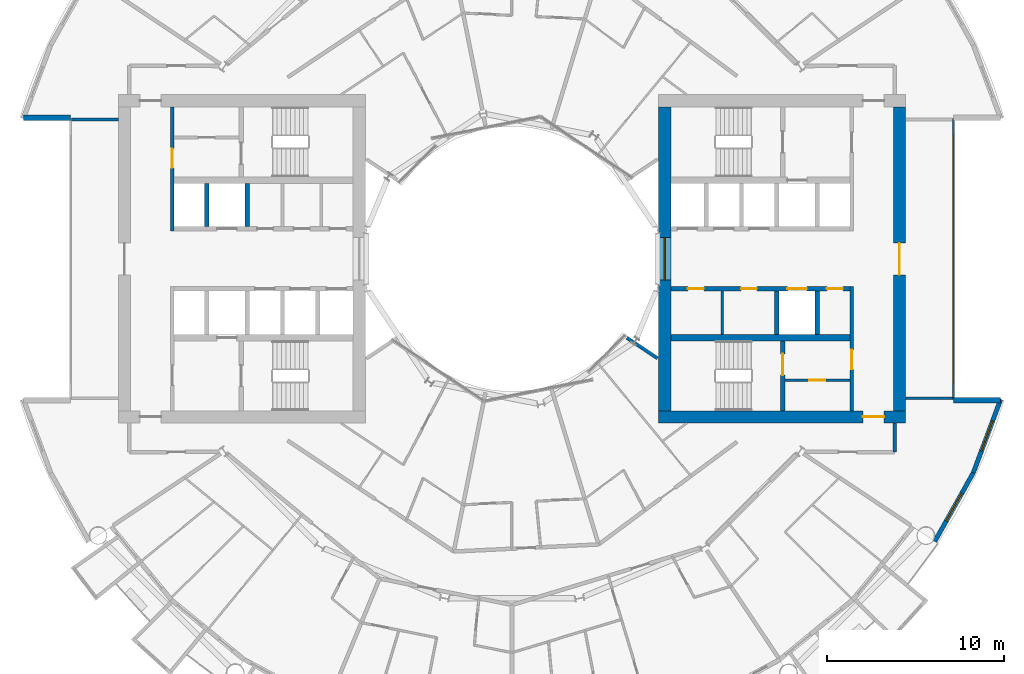
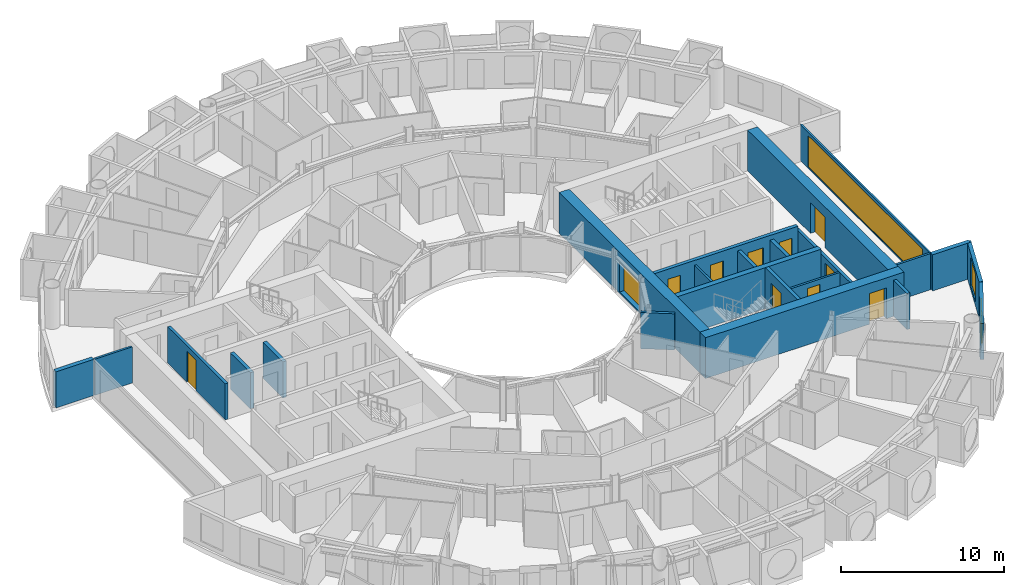
# One storey, part 17 of 26: 23 walls, 10 doors, 4 windows, 14 openings.
"""IFC4 building model written with IfcOpenShell, lengths in metres."""

from ifc_helpers import new_model, si_unit, direction, frame, frame_2d, origin, place, context, subcontext, project, spatial, rectangle, extrude, material, layer, layer_set, type_object, element, fill, save


model = new_model("IFC4")

# Units and contexts
model_context = context("Model", 3, precision=1e-05, world=origin(), true_north=direction((0.0, 1.0)))
body_context = subcontext(model_context, "Body", "Model", "MODEL_VIEW")
ifc_project = project(units=[si_unit("LENGTHUNIT", "METRE"), si_unit("AREAUNIT", "SQUARE_METRE"), si_unit("VOLUMEUNIT", "CUBIC_METRE"), si_unit("PLANEANGLEUNIT", "RADIAN"), si_unit("MASSUNIT", "GRAM", prefix="KILO")], contexts=[model_context])

# Site, building, storey
site_placement = place(None, origin())
site = spatial("IfcSite", under=ifc_project, at=site_placement, CompositionType="ELEMENT")
building_placement = place(site_placement, origin())
building = spatial("IfcBuilding", under=site, at=building_placement, Name="Maasbend Ring Residences", CompositionType="ELEMENT")
storey_placement = place(building_placement, frame((0.0, 0.0, 91.050048828125)))
storey = spatial("IfcBuildingStorey", under=building, at=storey_placement, Name="L26", CompositionType="ELEMENT", Elevation=91.050048828125)

# Wall, openings, doors
ifc_material_1 = material(Name="Concrete C70/85", Category="concrete")
ifc_layer_1 = layer(ifc_material_1, 0.25)
ifc_layer_set_1 = layer_set([ifc_layer_1], Name="Concrete C70/85")
wall_type_1 = type_object("IfcWallType", Name="CORE WALL 250 C70/85", PredefinedType="SHEAR", material=ifc_layer_set_1)
wall_1_placement = place(storey_placement, frame((19.14990234375, -1.699951171875, 0.0), z_axis=(0.0, 0.0, 1.0), x_axis=(-1.0, 0.0, 0.0)))
wall_1 = element("IfcWall", 1, at=wall_1_placement, inside=storey, type_object=wall_type_1, Name="L26 core E wall SPS", PredefinedType="SHEAR", context=body_context, shape_type="SweptSolid", body=[
    extrude(rectangle(XDim=10.14990234375, YDim=0.25, at=frame_2d((5.074951171875, 0.0))), origin(), (0.0, 0.0, 1.0), 3.050048828125),
])
opening_1_placement = place(wall_1_placement, frame((2.449951171875, 0.0, 0.0)))
opening_1 = element("IfcOpeningElement", 2, at=opening_1_placement, cuts=wall_1, Name="Opening LD-E2605", PredefinedType="OPENING", context=body_context, shape_type="SweptSolid", body=[
    extrude(rectangle(XDim=1.10009765625, YDim=2.300048828125, at=frame_2d((0.550048828125, 1.14990234375))), frame((0.0, 0.135009765625, 0.0), z_axis=(0.0, -1.0, 0.0), x_axis=(1.0, 0.0, 0.0)), (0.0, 0.0, 1.0), 0.27001953125),
])
opening_2_placement = place(wall_1_placement, frame((8.28759765625, 0.0, 0.0)))
opening_2 = element("IfcOpeningElement", 3, at=opening_2_placement, cuts=wall_1, Name="Opening D-E2606", PredefinedType="OPENING", context=body_context, shape_type="SweptSolid", body=[
    extrude(rectangle(XDim=0.89990234375, YDim=2.300048828125, at=frame_2d((0.449951171875, 1.14990234375))), frame((0.0, 0.135009765625, 0.0), z_axis=(0.0, -1.0, 0.0), x_axis=(1.0, 0.0, 0.0)), (0.0, 0.0, 1.0), 0.27001953125),
])
opening_3_placement = place(wall_1_placement, frame((5.27490234375, 0.0, 0.0)))
opening_3 = element("IfcOpeningElement", 4, at=opening_3_placement, cuts=wall_1, Name="Opening D-E2607", PredefinedType="OPENING", context=body_context, shape_type="SweptSolid", body=[
    extrude(rectangle(XDim=0.89990234375, YDim=2.300048828125, at=frame_2d((0.449951171875, 1.14990234375))), frame((0.0, 0.135009765625, 0.0), z_axis=(0.0, -1.0, 0.0), x_axis=(1.0, 0.0, 0.0)), (0.0, 0.0, 1.0), 0.27001953125),
])
opening_4_placement = place(wall_1_placement, frame((0.41259765625, 0.0, 0.0)))
opening_4 = element("IfcOpeningElement", 5, at=opening_4_placement, cuts=wall_1, Name="Opening D-E2608", PredefinedType="OPENING", context=body_context, shape_type="SweptSolid", body=[
    extrude(rectangle(XDim=0.89990234375, YDim=2.300048828125, at=frame_2d((0.449951171875, 1.14990234375))), frame((0.0, 0.135009765625, 0.0), z_axis=(0.0, -1.0, 0.0), x_axis=(1.0, 0.0, 0.0)), (0.0, 0.0, 1.0), 0.27001953125),
])
ifc_material_2 = material(Name="Stainless steel 316", Category="steel")
door_type_1 = type_object("IfcDoorType", Name="LANDING DOOR 1100 X 2300 FD60", OperationType="DOUBLE_DOOR_SLIDING", PredefinedType="DOOR", material=ifc_material_2)
door_1_placement = place(opening_1_placement, origin())
door_1 = element("IfcDoor", 6, at=door_1_placement, inside=storey, type_object=door_type_1, Name="Landing door SV-E L26", OperationType="DOUBLE_DOOR_SLIDING", OverallHeight=2.300048828125, OverallWidth=1.10009765625, PredefinedType="DOOR", context=body_context, shape_type="SweptSolid", body=[
    extrude(rectangle(XDim=1.10009765625, YDim=2.300048828125, at=frame_2d((0.550048828125, 1.14990234375))), frame((0.0, 0.02490234375, 0.0), z_axis=(0.0, -1.0, 0.0), x_axis=(1.0, 0.0, 0.0)), (0.0, 0.0, 1.0), 0.050048828125),
])
fill(opening_1, door_1)
ifc_material_3 = material(Name="Steel, powder coated", Category="steel")
door_type_2 = type_object("IfcDoorType", Name="ROOM DOOR 900 X 2300 FD30S", OperationType="NOTDEFINED", PredefinedType="DOOR", material=ifc_material_3)
door_2_placement = place(opening_2_placement, origin())
door_2 = element("IfcDoor", 7, at=door_2_placement, inside=storey, type_object=door_type_2, Name="Room door L26", OperationType="SINGLE_SWING_LEFT", OverallHeight=2.300048828125, OverallWidth=0.89990234375, PredefinedType="DOOR", context=body_context, shape_type="SweptSolid", body=[
    extrude(rectangle(XDim=0.89990234375, YDim=2.300048828125, at=frame_2d((0.449951171875, 1.14990234375))), frame((0.0, 0.02490234375, 0.0), z_axis=(0.0, -1.0, 0.0), x_axis=(1.0, 0.0, 0.0)), (0.0, 0.0, 1.0), 0.050048828125),
])
fill(opening_2, door_2)
door_3_placement = place(opening_3_placement, origin())
door_3 = element("IfcDoor", 8, at=door_3_placement, inside=storey, type_object=door_type_2, Name="Room door L26", OperationType="SINGLE_SWING_LEFT", OverallHeight=2.300048828125, OverallWidth=0.89990234375, PredefinedType="DOOR", context=body_context, shape_type="SweptSolid", body=[
    extrude(rectangle(XDim=0.89990234375, YDim=2.300048828125, at=frame_2d((0.449951171875, 1.14990234375))), frame((0.0, 0.02490234375, 0.0), z_axis=(0.0, -1.0, 0.0), x_axis=(1.0, 0.0, 0.0)), (0.0, 0.0, 1.0), 0.050048828125),
])
fill(opening_3, door_3)
door_4_placement = place(opening_4_placement, origin())
door_4 = element("IfcDoor", 9, at=door_4_placement, inside=storey, type_object=door_type_2, Name="Room door L26", OperationType="SINGLE_SWING_RIGHT", OverallHeight=2.300048828125, OverallWidth=0.89990234375, PredefinedType="DOOR", context=body_context, shape_type="SweptSolid", body=[
    extrude(rectangle(XDim=0.89990234375, YDim=2.300048828125, at=frame_2d((0.449951171875, 1.14990234375))), frame((0.0, 0.02490234375, 0.0), z_axis=(0.0, -1.0, 0.0), x_axis=(1.0, 0.0, 0.0)), (0.0, 0.0, 1.0), 0.050048828125),
])
fill(opening_4, door_4)

# Wall, opening, door
wall_2_placement = place(storey_placement, frame((15.324951171875, -8.60009765625, 0.0), z_axis=(0.0, 0.0, 1.0), x_axis=(0.0, 1.0, 0.0)))
wall_2 = element("IfcWall", 10, at=wall_2_placement, inside=storey, type_object=wall_type_1, Name="L26 core E wall STES", PredefinedType="SHEAR", context=body_context, shape_type="SweptSolid", body=[
    extrude(rectangle(XDim=3.9501953125, YDim=0.25, at=frame_2d((1.97509765625, 0.0))), origin(), (0.0, 0.0, 1.0), 3.050048828125),
])
opening_5_placement = place(wall_2_placement, frame((2.02490234375, 0.0, 0.0)))
opening_5 = element("IfcOpeningElement", 11, at=opening_5_placement, cuts=wall_2, Name="Opening D-E2611", PredefinedType="OPENING", context=body_context, shape_type="SweptSolid", body=[
    extrude(rectangle(XDim=1.199951171875, YDim=2.300048828125, at=frame_2d((0.60009765625, 1.14990234375))), frame((0.0, 0.135009765625, 0.0), z_axis=(0.0, -1.0, 0.0), x_axis=(1.0, 0.0, 0.0)), (0.0, 0.0, 1.0), 0.27001953125),
])
ifc_material_4 = material(Name="Steel, powder coated", Category="steel")
door_type_3 = type_object("IfcDoorType", Name="STAIR DOOR 1200 X 2300 FD60", OperationType="NOTDEFINED", PredefinedType="DOOR", material=ifc_material_4)
door_5_placement = place(opening_5_placement, origin())
door_5 = element("IfcDoor", 12, at=door_5_placement, inside=storey, type_object=door_type_3, Name="Stair door ST-E L26", OperationType="SINGLE_SWING_LEFT", OverallHeight=2.300048828125, OverallWidth=1.199951171875, PredefinedType="DOOR", context=body_context, shape_type="SweptSolid", body=[
    extrude(rectangle(XDim=1.199951171875, YDim=2.300048828125, at=frame_2d((0.60009765625, 1.14990234375))), frame((0.0, 0.02490234375, 0.0), z_axis=(0.0, -1.0, 0.0), x_axis=(1.0, 0.0, 0.0)), (0.0, 0.0, 1.0), 0.050048828125),
])
fill(opening_5, door_5)

# Wall
ifc_material_5 = material(Name="Concrete C70/85", Category="concrete")
ifc_layer_2 = layer(ifc_material_5, 0.375)
ifc_layer_set_2 = layer_set([ifc_layer_2], Name="Concrete C70/85")
wall_type_2 = type_object("IfcWallType", Name="CORE WALL 375 C70/85", PredefinedType="SHEAR", material=ifc_layer_set_2)
wall_3_placement = place(storey_placement, frame((9.0, -4.46240234375, 0.0), z_axis=(0.0, 0.0, 1.0), x_axis=(1.0, 0.0, 0.0)))
element("IfcWall", 13, at=wall_3_placement, inside=storey, type_object=wall_type_2, Name="L26 core E wall BS", PredefinedType="SHEAR", context=body_context, shape_type="SweptSolid", body=[
    extrude(rectangle(XDim=10.14990234375, YDim=0.375, at=frame_2d((5.074951171875, 0.0))), origin(), (0.0, 0.0, 1.0), 3.050048828125),
])

# Wall, opening, door
ifc_material_6 = material(Name="Concrete C70/85", Category="concrete")
ifc_layer_3 = layer(ifc_material_6, 0.699951171875)
ifc_layer_set_3 = layer_set([ifc_layer_3], Name="Concrete C70/85")
wall_type_3 = type_object("IfcWallType", Name="CORE WALL 700 C70/85", PredefinedType="SHEAR", material=ifc_layer_set_3)
wall_4_placement = place(storey_placement, frame((8.300048828125, -8.949951171875, 0.0), z_axis=(0.0, 0.0, 1.0), x_axis=(1.0, 0.0, 0.0)))
wall_4 = element("IfcWall", 14, at=wall_4_placement, inside=storey, type_object=wall_type_3, Name="L26 core E wall PS", PredefinedType="SHEAR", context=body_context, shape_type="SweptSolid", body=[
    extrude(rectangle(XDim=14.0, YDim=0.699951171875, at=frame_2d((7.0, 0.0))), origin(), (0.0, 0.0, 1.0), 3.050048828125),
])
opening_6_placement = place(wall_4_placement, frame((11.574951171875, 0.0, 0.0)))
opening_6 = element("IfcOpeningElement", 15, at=opening_6_placement, cuts=wall_4, Name="Opening D-E2615", PredefinedType="OPENING", context=body_context, shape_type="SweptSolid", body=[
    extrude(rectangle(XDim=1.199951171875, YDim=2.300048828125, at=frame_2d((0.60009765625, 1.14990234375))), frame((0.0, 0.35986328125, 0.0), z_axis=(0.0, -1.0, 0.0), x_axis=(1.0, 0.0, 0.0)), (0.0, 0.0, 1.0), 0.719970703125),
])
ifc_material_7 = material(Name="Steel, powder coated", Category="steel")
door_type_4 = type_object("IfcDoorType", Name="CORRIDOR DOOR 1200 X 2300 FD30S", OperationType="NOTDEFINED", PredefinedType="DOOR", material=ifc_material_7)
door_6_placement = place(opening_6_placement, origin())
door_6 = element("IfcDoor", 16, at=door_6_placement, inside=storey, type_object=door_type_4, Name="Corridor door L26", OperationType="SINGLE_SWING_LEFT", OverallHeight=2.300048828125, OverallWidth=1.199951171875, PredefinedType="DOOR", context=body_context, shape_type="SweptSolid", body=[
    extrude(rectangle(XDim=1.199951171875, YDim=2.300048828125, at=frame_2d((0.60009765625, 1.14990234375))), frame((0.0, 0.02490234375, 0.0), z_axis=(0.0, -1.0, 0.0), x_axis=(1.0, 0.0, 0.0)), (0.0, 0.0, 1.0), 0.050048828125),
])
fill(opening_6, door_6)

wall_5_placement = place(storey_placement, frame((21.949951171875, 8.60009765625, 0.0), z_axis=(0.0, 0.0, 1.0), x_axis=(0.0, -1.0, 0.0)))
wall_5 = element("IfcWall", 17, at=wall_5_placement, inside=storey, type_object=wall_type_3, Name="L26 core E wall POUT", PredefinedType="SHEAR", context=body_context, shape_type="SweptSolid", body=[
    extrude(rectangle(XDim=17.2001953125, YDim=0.699951171875, at=frame_2d((8.60009765625, 0.0))), origin(), (0.0, 0.0, 1.0), 3.050048828125),
])
opening_7_placement = place(wall_5_placement, frame((7.699951171875, 0.0, 0.0)))
opening_7 = element("IfcOpeningElement", 18, at=opening_7_placement, cuts=wall_5, Name="Opening D-E2616", PredefinedType="OPENING", context=body_context, shape_type="SweptSolid", body=[
    extrude(rectangle(XDim=1.800048828125, YDim=2.300048828125, at=frame_2d((0.89990234375, 1.14990234375))), frame((0.0, 0.35986328125, 0.0), z_axis=(0.0, -1.0, 0.0), x_axis=(1.0, 0.0, 0.0)), (0.0, 0.0, 1.0), 0.719970703125),
])
ifc_material_8 = material(Name="Aluminium frame, clear glass", Category="aluminium")
door_type_5 = type_object("IfcDoorType", Name="ENTRANCE DOOR 1800 X 2300 FD60", OperationType="NOTDEFINED", PredefinedType="DOOR", material=ifc_material_8)
door_7_placement = place(opening_7_placement, origin())
door_7 = element("IfcDoor", 19, at=door_7_placement, inside=storey, type_object=door_type_5, Name="Lobby glazed door L26", OperationType="SINGLE_SWING_LEFT", OverallHeight=2.300048828125, OverallWidth=1.800048828125, PredefinedType="DOOR", context=body_context, shape_type="SweptSolid", body=[
    extrude(rectangle(XDim=1.800048828125, YDim=2.300048828125, at=frame_2d((0.89990234375, 1.14990234375))), frame((0.0, 0.02490234375, 0.0), z_axis=(0.0, -1.0, 0.0), x_axis=(1.0, 0.0, 0.0)), (0.0, 0.0, 1.0), 0.050048828125),
])
fill(opening_7, door_7)

# Wall, opening, window
wall_6_placement = place(storey_placement, frame((8.64990234375, -8.60009765625, 0.0), z_axis=(0.0, 0.0, 1.0), x_axis=(0.0, 1.0, 0.0)))
wall_6 = element("IfcWall", 20, at=wall_6_placement, inside=storey, type_object=wall_type_3, Name="L26 core E wall PIN", PredefinedType="SHEAR", context=body_context, shape_type="SweptSolid", body=[
    extrude(rectangle(XDim=17.2001953125, YDim=0.699951171875, at=frame_2d((8.60009765625, 0.0))), origin(), (0.0, 0.0, 1.0), 3.050048828125),
])
opening_8_placement = place(wall_6_placement, frame((7.39990234375, 0.0, 0.10009765625)))
opening_8 = element("IfcOpeningElement", 21, at=opening_8_placement, cuts=wall_6, Name="Opening W-E2601", PredefinedType="OPENING", context=body_context, shape_type="SweptSolid", body=[
    extrude(rectangle(XDim=2.39990234375, YDim=2.199951171875, at=frame_2d((1.199951171875, 1.10009765625))), frame((0.0, 0.35986328125, 0.0), z_axis=(0.0, -1.0, 0.0), x_axis=(1.0, 0.0, 0.0)), (0.0, 0.0, 1.0), 0.719970703125),
])
ifc_material_9 = material(Name="Aluminium frame and clear glass", Category="aluminium")
window_type_1 = type_object("IfcWindowType", Name="FIXED WINDOW 2400 X 2200", PartitioningType="SINGLE_PANEL", PredefinedType="WINDOW", material=ifc_material_9)
window_1_placement = place(opening_8_placement, origin())
window_1 = element("IfcWindow", 22, at=window_1_placement, inside=storey, type_object=window_type_1, Name="Lobby window L26", OverallHeight=2.199951171875, OverallWidth=2.39990234375, PartitioningType="SINGLE_PANEL", PredefinedType="WINDOW", context=body_context, shape_type="SweptSolid", body=[
    extrude(rectangle(XDim=2.39990234375, YDim=2.199951171875, at=frame_2d((1.199951171875, 1.10009765625))), frame((0.0, 0.030029296875, 0.0), z_axis=(0.0, -1.0, 0.0), x_axis=(1.0, 0.0, 0.0)), (0.0, 0.0, 1.0), 0.06005859375),
])
fill(opening_8, window_1)

# Wall
ifc_material_10 = material(Name="Concrete C30/37", Category="concrete")
ifc_layer_4 = layer(ifc_material_10, 0.199951171875)
ifc_layer_set_4 = layer_set([ifc_layer_4], Name="Concrete C30/37")
wall_type_4 = type_object("IfcWallType", Name="CORRIDOR WALL 200 CONCRETE", PredefinedType="PARTITIONING", material=ifc_layer_set_4)
wall_7_placement = place(storey_placement, frame((21.675048828125, -10.949951171875, 0.0), z_axis=(0.0, 0.0, 1.0), x_axis=(0.0, 1.0, 0.0)))
element("IfcWall", 23, at=wall_7_placement, inside=storey, type_object=wall_type_4, Name="U-L26-w005", PredefinedType="PARTITIONING", context=body_context, shape_type="SweptSolid", body=[
    extrude(rectangle(XDim=1.64990234375, YDim=0.199951171875, at=frame_2d((0.824951171875, 0.0))), origin(), (0.0, 0.0, 1.0), 2.699951171875),
])

# Wall, opening, window
ifc_material_11 = material(Name="Aluminium clad insulated panel", Category="aluminium")
ifc_layer_5 = layer(ifc_material_11, 0.25)
ifc_layer_set_5 = layer_set([ifc_layer_5], Name="EW-HORN")
wall_type_5 = type_object("IfcWallType", Name="EW-HORN", PredefinedType="SOLIDWALL", material=ifc_layer_set_5)
wall_8_placement = place(storey_placement, frame((23.946044921875, -16.0, 0.0), z_axis=(0.0, 0.0, 1.0), x_axis=(0.489696356642, 0.871893042919, 0.0)))
wall_8 = element("IfcWall", 24, at=wall_8_placement, inside=storey, type_object=wall_type_5, Name="Horn wall 2.1", PredefinedType="SOLIDWALL", context=body_context, shape_type="SweptSolid", body=[
    extrude(rectangle(XDim=4.45361328125, YDim=0.25, at=frame_2d((2.226806640625, 0.0))), origin(), (0.0, 0.0, 1.0), 2.699951171875),
])
opening_9_placement = place(wall_8_placement, frame((1.32666015625, 0.0, 0.300048828125)))
opening_9 = element("IfcOpeningElement", 25, at=opening_9_placement, cuts=wall_8, Name="Opening W-BX", PredefinedType="OPENING", context=body_context, shape_type="SweptSolid", body=[
    extrude(rectangle(XDim=1.800048828125, YDim=2.10009765625, at=frame_2d((0.89990234375, 1.050048828125))), frame((0.0, 0.135009765625, 0.0), z_axis=(0.0, -1.0, 0.0), x_axis=(1.0, 0.0, 0.0)), (0.0, 0.0, 1.0), 0.27001953125),
])
ifc_material_12 = material(Name="Aluminium and clear glass", Category="aluminium")
window_type_2 = type_object("IfcWindowType", Name="W-BX", PartitioningType="DOUBLE_PANEL_VERTICAL", PredefinedType="WINDOW", material=ifc_material_12)
window_2_placement = place(opening_9_placement, origin())
window_2 = element("IfcWindow", 26, at=window_2_placement, inside=storey, type_object=window_type_2, Name="Horn window 2.1", OverallHeight=2.10009765625, OverallWidth=1.800048828125, PartitioningType="SINGLE_PANEL", PredefinedType="WINDOW", context=body_context, shape_type="SweptSolid", body=[
    extrude(rectangle(XDim=1.800048828125, YDim=2.10009765625, at=frame_2d((0.89990234375, 1.050048828125))), frame((0.0, 0.030029296875, 0.0), z_axis=(0.0, -1.0, 0.0), x_axis=(1.0, 0.0, 0.0)), (0.0, 0.0, 1.0), 0.06005859375),
])
fill(opening_9, window_2)

wall_9_placement = place(storey_placement, frame((26.126953125, -12.116943359375, 0.0), z_axis=(0.0, 0.0, 1.0), x_axis=(0.349247811493, 0.937030397675, 0.0)))
wall_9 = element("IfcWall", 27, at=wall_9_placement, inside=storey, type_object=wall_type_5, Name="Horn wall 2.2", PredefinedType="SOLIDWALL", context=body_context, shape_type="SweptSolid", body=[
    extrude(rectangle(XDim=4.4521484375, YDim=0.25, at=frame_2d((2.22607421875, 0.0))), origin(), (0.0, 0.0, 1.0), 2.699951171875),
])
opening_10_placement = place(wall_9_placement, frame((1.32666015625, 0.0, 0.300048828125)))
opening_10 = element("IfcOpeningElement", 28, at=opening_10_placement, cuts=wall_9, Name="Opening W-BX", PredefinedType="OPENING", context=body_context, shape_type="SweptSolid", body=[
    extrude(rectangle(XDim=1.800048828125, YDim=2.10009765625, at=frame_2d((0.89990234375, 1.050048828125))), frame((0.0, 0.135009765625, 0.0), z_axis=(0.0, -1.0, 0.0), x_axis=(1.0, 0.0, 0.0)), (0.0, 0.0, 1.0), 0.27001953125),
])
window_3_placement = place(opening_10_placement, origin())
window_3 = element("IfcWindow", 29, at=window_3_placement, inside=storey, type_object=window_type_2, Name="Horn window 2.2", OverallHeight=2.10009765625, OverallWidth=1.800048828125, PartitioningType="SINGLE_PANEL", PredefinedType="WINDOW", context=body_context, shape_type="SweptSolid", body=[
    extrude(rectangle(XDim=1.800048828125, YDim=2.10009765625, at=frame_2d((0.89990234375, 1.050048828125))), frame((0.0, 0.030029296875, 0.0), z_axis=(0.0, -1.0, 0.0), x_axis=(1.0, 0.0, 0.0)), (0.0, 0.0, 1.0), 0.06005859375),
])
fill(opening_10, window_3)

# Walls
ifc_material_13 = material(Name="Aluminium clad insulated panel", Category="aluminium")
ifc_layer_6 = layer(ifc_material_13, 0.300048828125)
ifc_layer_set_6 = layer_set([ifc_layer_6], Name="EW-RET")
wall_type_6 = type_object("IfcWallType", Name="EW-RET", PredefinedType="SOLIDWALL", material=ifc_layer_set_6)
for number, where, z_axis, x_axis, name in (
    (30, (25.0, -8.0, 0.0), (0.0, 0.0, 1.0), (1.0, 0.0, 0.0), "Notch return wall east south"),
    (31, (-25.0, 8.0, 0.0), (0.0, 0.0, 1.0), (-1.0, 0.0, 0.0), "Notch return wall west north"),
):
    element("IfcWall", number, at=place(storey_placement, frame(where, z_axis=z_axis, x_axis=x_axis)), inside=storey, type_object=wall_type_6, Name=name, PredefinedType="SOLIDWALL", context=body_context, shape_type="SweptSolid", body=[
        extrude(rectangle(XDim=2.6669921875, YDim=0.300048828125, at=frame_2d((1.33349609375, 0.0))), origin(), (0.0, 0.0, 1.0), 2.699951171875),
    ])

# Wall, opening, window
ifc_material_14 = material(Name="Aluminium frame and clear glass", Category="aluminium")
ifc_layer_7 = layer(ifc_material_14, 0.1201171875)
ifc_layer_set_7 = layer_set([ifc_layer_7], Name="GLAZED SCREEN WALL 120 EI 60")
wall_type_7 = type_object("IfcWallType", Name="GLAZED SCREEN WALL 120 EI 60", PredefinedType="PARTITIONING", material=ifc_layer_set_7)
wall_10_placement = place(storey_placement, frame((25.0, -7.949951171875, 0.0), z_axis=(0.0, 0.0, 1.0), x_axis=(0.0, 1.0, 0.0)))
wall_10 = element("IfcWall", 32, at=wall_10_placement, inside=storey, type_object=wall_type_7, Name="L26 core E wall FACE", PredefinedType="PARTITIONING", context=body_context, shape_type="SweptSolid", body=[
    extrude(rectangle(XDim=15.89990234375, YDim=0.1201171875, at=frame_2d((7.949951171875, 0.0))), origin(), (0.0, 0.0, 1.0), 2.699951171875),
])
opening_11_placement = place(wall_10_placement, frame((0.949951171875, 0.0, 0.10009765625)))
opening_11 = element("IfcOpeningElement", 33, at=opening_11_placement, cuts=wall_10, Name="Opening W-E2602", PredefinedType="OPENING", context=body_context, shape_type="SweptSolid", body=[
    extrude(rectangle(XDim=14.0, YDim=2.35009765625, at=frame_2d((7.0, 1.175048828125))), frame((0.0, 0.070068359375, 0.0), z_axis=(0.0, -1.0, 0.0), x_axis=(1.0, 0.0, 0.0)), (0.0, 0.0, 1.0), 0.14013671875),
])
ifc_material_15 = material(Name="Aluminium frame and clear glass", Category="aluminium")
window_type_3 = type_object("IfcWindowType", Name="FIXED WINDOW 14000 X 2350", PartitioningType="SINGLE_PANEL", PredefinedType="WINDOW", material=ifc_material_15)
window_4_placement = place(opening_11_placement, origin())
window_4 = element("IfcWindow", 34, at=window_4_placement, inside=storey, type_object=window_type_3, Name="Lobby window L26", OverallHeight=2.35009765625, OverallWidth=14.0, PartitioningType="SINGLE_PANEL", PredefinedType="WINDOW", context=body_context, shape_type="SweptSolid", body=[
    extrude(rectangle(XDim=14.0, YDim=2.35009765625, at=frame_2d((7.0, 1.175048828125))), frame((0.0, 0.030029296875, 0.0), z_axis=(0.0, -1.0, 0.0), x_axis=(1.0, 0.0, 0.0)), (0.0, 0.0, 1.0), 0.06005859375),
])
fill(opening_11, window_4)

# Wall
ifc_material_16 = material(Name="Gypsum board on steel studs", Category="steel")
ifc_layer_8 = layer(ifc_material_16, 0.14990234375)
ifc_layer_set_8 = layer_set([ifc_layer_8], Name="PARTITION 150 EI 60")
wall_type_8 = type_object("IfcWallType", Name="PARTITION 150 EI 60", PredefinedType="PARTITIONING", material=ifc_layer_set_8)
wall_11_placement = place(storey_placement, frame((11.89990234375, -1.824951171875, 0.0), z_axis=(0.0, 0.0, 1.0), x_axis=(0.0, -1.0, 0.0)))
element("IfcWall", 35, at=wall_11_placement, inside=storey, type_object=wall_type_8, Name="L26 core E wall PRS1190", PredefinedType="PARTITIONING", context=body_context, shape_type="SweptSolid", body=[
    extrude(rectangle(XDim=2.449951171875, YDim=0.14990234375, at=frame_2d((1.22509765625, 0.0))), origin(), (0.0, 0.0, 1.0), 2.699951171875),
])

# Wall, opening, door
wall_12_placement = place(storey_placement, frame((15.449951171875, -6.875, 0.0), z_axis=(0.0, 0.0, 1.0), x_axis=(1.0, 0.0, 0.0)))
wall_12 = element("IfcWall", 36, at=wall_12_placement, inside=storey, type_object=wall_type_8, Name="L26 core E wall RHS", PredefinedType="PARTITIONING", context=body_context, shape_type="SweptSolid", body=[
    extrude(rectangle(XDim=3.699951171875, YDim=0.14990234375, at=frame_2d((1.85009765625, 0.0))), origin(), (0.0, 0.0, 1.0), 2.699951171875),
])
opening_12_placement = place(wall_12_placement, frame((1.39990234375, 0.0, 0.0)))
opening_12 = element("IfcOpeningElement", 37, at=opening_12_placement, cuts=wall_12, Name="Opening D-E2609", PredefinedType="OPENING", context=body_context, shape_type="SweptSolid", body=[
    extrude(rectangle(XDim=0.89990234375, YDim=2.300048828125, at=frame_2d((0.449951171875, 1.14990234375))), frame((0.0, 0.0849609375, 0.0), z_axis=(0.0, -1.0, 0.0), x_axis=(1.0, 0.0, 0.0)), (0.0, 0.0, 1.0), 0.169921875),
])
ifc_material_17 = material(Name="Steel, powder coated", Category="steel")
door_type_6 = type_object("IfcDoorType", Name="RISER DOOR 900 X 2300 FD60", OperationType="NOTDEFINED", PredefinedType="DOOR", material=ifc_material_17)
door_8_placement = place(opening_12_placement, origin())
door_8 = element("IfcDoor", 38, at=door_8_placement, inside=storey, type_object=door_type_6, Name="Riser door L26", OperationType="SINGLE_SWING_LEFT", OverallHeight=2.300048828125, OverallWidth=0.89990234375, PredefinedType="DOOR", context=body_context, shape_type="SweptSolid", body=[
    extrude(rectangle(XDim=0.89990234375, YDim=2.300048828125, at=frame_2d((0.449951171875, 1.14990234375))), frame((0.0, 0.02490234375, 0.0), z_axis=(0.0, -1.0, 0.0), x_axis=(1.0, 0.0, 0.0)), (0.0, 0.0, 1.0), 0.050048828125),
])
fill(opening_12, door_8)

# Walls
for number, where, z_axis, x_axis, name in (
    (39, (22.300048828125, -7.89990234375, 0.0), (0.0, 0.0, 1.0), (1.0, 0.0, 0.0), "L26 core E wall CITS"),
    (40, (-22.300048828125, 7.89990234375, 0.0), (0.0, 0.0, 1.0), (-1.0, 0.0, 0.0), "L26 core W wall CITS"),
):
    element("IfcWall", number, at=place(storey_placement, frame(where, z_axis=z_axis, x_axis=x_axis)), inside=storey, type_object=wall_type_8, Name=name, PredefinedType="PARTITIONING", context=body_context, shape_type="SweptSolid", body=[
        extrude(rectangle(XDim=2.639892578125, YDim=0.14990234375, at=frame_2d((1.31982421875, 0.0))), origin(), (0.0, 0.0, 1.0), 2.699951171875),
    ])
ifc_material_18 = material(Name="Concrete C30/37", Category="concrete")
ifc_layer_9 = layer(ifc_material_18, 0.199951171875)
ifc_layer_set_9 = layer_set([ifc_layer_9], Name="Concrete C30/37")
wall_type_9 = type_object("IfcWallType", Name="PARTY WALL 200 CONCRETE", PredefinedType="PARTITIONING", material=ifc_layer_set_9)
wall_13_placement = place(storey_placement, frame((6.512939453125, -4.471923828125, 0.0), z_axis=(0.0, 0.0, 1.0), x_axis=(0.831382204863, -0.555701025225, 0.0)))
element("IfcWall", 41, at=wall_13_placement, inside=storey, type_object=wall_type_9, Name="U-L26-w027", PredefinedType="PARTITIONING", context=body_context, shape_type="SweptSolid", body=[
    extrude(rectangle(XDim=2.08203125, YDim=0.199951171875, at=frame_2d((1.041015625, 0.0))), origin(), (0.0, 0.0, 1.0), 2.699951171875),
])

# Wall, opening, door
ifc_material_19 = material(Name="Concrete C30/37", Category="concrete")
ifc_layer_10 = layer(ifc_material_19, 0.199951171875)
ifc_layer_set_10 = layer_set([ifc_layer_10], Name="Concrete C30/37")
wall_type_10 = type_object("IfcWallType", Name="SHAFT WALL 200 EI 120", PredefinedType="SOLIDWALL", material=ifc_layer_set_10)
wall_14_placement = place(storey_placement, frame((19.25, -8.60009765625, 0.0), z_axis=(0.0, 0.0, 1.0), x_axis=(0.0, 1.0, 0.0)))
wall_14 = element("IfcWall", 42, at=wall_14_placement, inside=storey, type_object=wall_type_10, Name="L26 core E wall ENDS", PredefinedType="SOLIDWALL", context=body_context, shape_type="SweptSolid", body=[
    extrude(rectangle(XDim=7.025146484375, YDim=0.199951171875, at=frame_2d((3.5126953125, 0.0))), origin(), (0.0, 0.0, 1.0), 2.699951171875),
])
opening_13_placement = place(wall_14_placement, frame((2.35009765625, 0.0, 0.0)))
opening_13 = element("IfcOpeningElement", 43, at=opening_13_placement, cuts=wall_14, Name="Opening D-E2613", PredefinedType="OPENING", context=body_context, shape_type="SweptSolid", body=[
    extrude(rectangle(XDim=1.10009765625, YDim=2.300048828125, at=frame_2d((0.550048828125, 1.14990234375))), frame((0.0, 0.10986328125, 0.0), z_axis=(0.0, -1.0, 0.0), x_axis=(1.0, 0.0, 0.0)), (0.0, 0.0, 1.0), 0.219970703125),
])
ifc_material_20 = material(Name="Steel, powder coated", Category="steel")
door_type_7 = type_object("IfcDoorType", Name="LOBBY DOOR 1100 X 2300 FD60", OperationType="NOTDEFINED", PredefinedType="DOOR", material=ifc_material_20)
door_9_placement = place(opening_13_placement, origin())
door_9 = element("IfcDoor", 44, at=door_9_placement, inside=storey, type_object=door_type_7, Name="Lobby door L26", OperationType="SINGLE_SWING_RIGHT", OverallHeight=2.300048828125, OverallWidth=1.10009765625, PredefinedType="DOOR", context=body_context, shape_type="SweptSolid", body=[
    extrude(rectangle(XDim=1.10009765625, YDim=2.300048828125, at=frame_2d((0.550048828125, 1.14990234375))), frame((0.0, 0.02490234375, 0.0), z_axis=(0.0, -1.0, 0.0), x_axis=(1.0, 0.0, 0.0)), (0.0, 0.0, 1.0), 0.050048828125),
])
fill(opening_13, door_9)

wall_15_placement = place(storey_placement, frame((-19.25, 8.60009765625, 0.0), z_axis=(0.0, 0.0, 1.0), x_axis=(0.0, -1.0, 0.0)))
wall_15 = element("IfcWall", 45, at=wall_15_placement, inside=storey, type_object=wall_type_10, Name="L26 core W wall ENDS", PredefinedType="SOLIDWALL", context=body_context, shape_type="SweptSolid", body=[
    extrude(rectangle(XDim=7.025146484375, YDim=0.199951171875, at=frame_2d((3.5126953125, 0.0))), origin(), (0.0, 0.0, 1.0), 2.699951171875),
])
opening_14_placement = place(wall_15_placement, frame((2.35009765625, 0.0, 0.0)))
opening_14 = element("IfcOpeningElement", 46, at=opening_14_placement, cuts=wall_15, Name="Opening D-W2613", PredefinedType="OPENING", context=body_context, shape_type="SweptSolid", body=[
    extrude(rectangle(XDim=1.10009765625, YDim=2.300048828125, at=frame_2d((0.550048828125, 1.14990234375))), frame((0.0, 0.10986328125, 0.0), z_axis=(0.0, -1.0, 0.0), x_axis=(1.0, 0.0, 0.0)), (0.0, 0.0, 1.0), 0.219970703125),
])
door_10_placement = place(opening_14_placement, origin())
door_10 = element("IfcDoor", 47, at=door_10_placement, inside=storey, type_object=door_type_7, Name="Lobby door L26", OperationType="SINGLE_SWING_RIGHT", OverallHeight=2.300048828125, OverallWidth=1.10009765625, PredefinedType="DOOR", context=body_context, shape_type="SweptSolid", body=[
    extrude(rectangle(XDim=1.10009765625, YDim=2.300048828125, at=frame_2d((0.550048828125, 1.14990234375))), frame((0.0, 0.02490234375, 0.0), z_axis=(0.0, -1.0, 0.0), x_axis=(1.0, 0.0, 0.0)), (0.0, 0.0, 1.0), 0.050048828125),
])
fill(opening_14, door_10)

# Walls
ifc_material_21 = material(Name="Concrete C30/37", Category="concrete")
ifc_layer_11 = layer(ifc_material_21, 0.25)
ifc_layer_set_11 = layer_set([ifc_layer_11], Name="Concrete C30/37")
wall_type_11 = type_object("IfcWallType", Name="SHAFT WALL 250 EI 120", PredefinedType="SOLIDWALL", material=ifc_layer_set_11)
for number, where, z_axis, x_axis, name in (
    (48, (15.0, -1.824951171875, 0.0), (0.0, 0.0, 1.0), (0.0, -1.0, 0.0), "L26 core E wall D150S"),
    (49, (17.300048828125, -1.824951171875, 0.0), (0.0, 0.0, 1.0), (0.0, -1.0, 0.0), "L26 core E wall D173S"),
    (50, (-15.0, 1.824951171875, 0.0), (0.0, 0.0, 1.0), (0.0, 1.0, 0.0), "L26 core W wall D150S"),
    (51, (-17.300048828125, 1.824951171875, 0.0), (0.0, 0.0, 1.0), (0.0, 1.0, 0.0), "L26 core W wall D173S"),
):
    element("IfcWall", number, at=place(storey_placement, frame(where, z_axis=z_axis, x_axis=x_axis)), inside=storey, type_object=wall_type_11, Name=name, PredefinedType="SOLIDWALL", context=body_context, shape_type="SweptSolid", body=[
        extrude(rectangle(XDim=2.449951171875, YDim=0.25, at=frame_2d((1.22509765625, 0.0))), origin(), (0.0, 0.0, 1.0), 2.699951171875),
    ])

save(model, "model.ifc")
